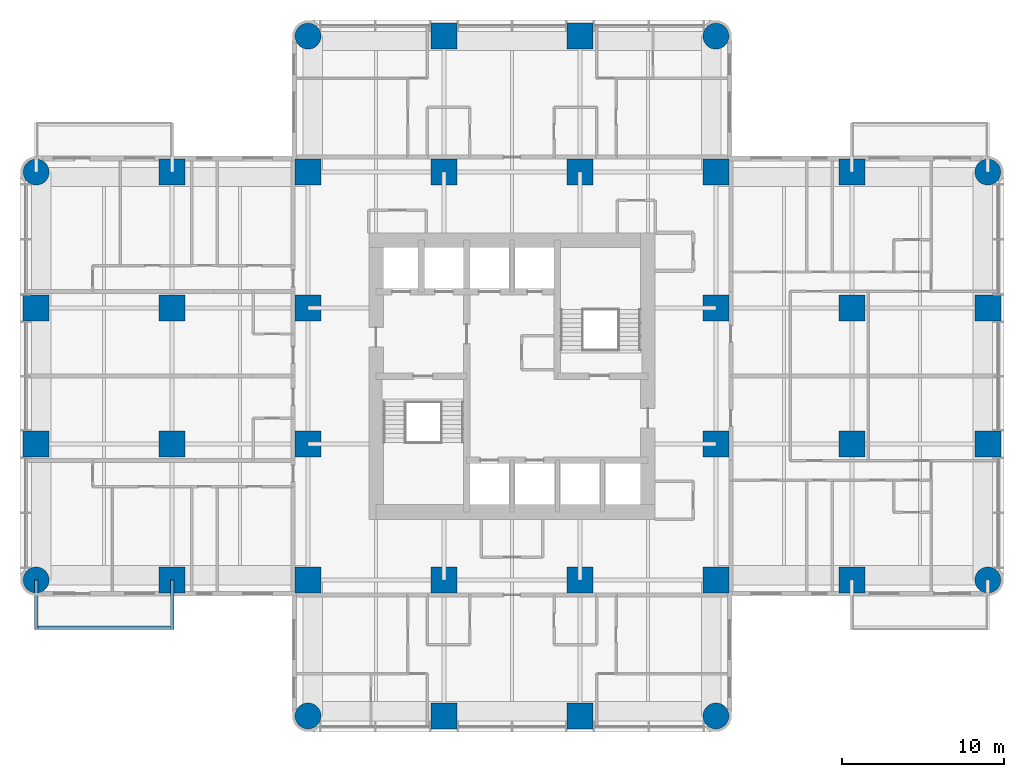
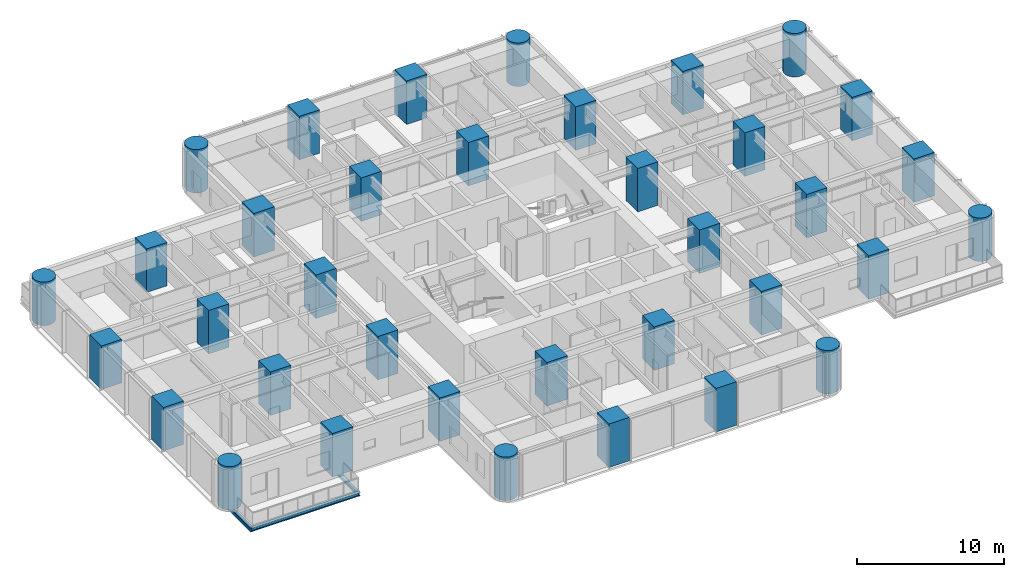
# One storey, part 1 of 14: 36 columns, 3 beams.
"""IFC4 building model written with IfcOpenShell, lengths in metres."""

from ifc_helpers import new_model, si_unit, direction, frame, origin, origin_2d, place, context, subcontext, project, spatial, rectangle, circle, i_section, extrude, material, material_profile, profile_set, type_object, element, save


model = new_model("IFC4")

# Units and contexts
model_context = context("Model", 3, precision=1e-05, world=origin(), true_north=direction((0.0, 1.0)))
body_context = subcontext(model_context, "Body", "Model", "MODEL_VIEW")
ifc_project = project(units=[si_unit("LENGTHUNIT", "METRE"), si_unit("AREAUNIT", "SQUARE_METRE"), si_unit("VOLUMEUNIT", "CUBIC_METRE"), si_unit("PLANEANGLEUNIT", "RADIAN"), si_unit("MASSUNIT", "GRAM", prefix="KILO")], contexts=[model_context])

# Site, building, storey
site_placement = place(None, origin())
site = spatial("IfcSite", under=ifc_project, at=site_placement, CompositionType="ELEMENT")
building_placement = place(site_placement, origin())
building = spatial("IfcBuilding", under=site, at=building_placement, Name="Torre Alcanfor", CompositionType="ELEMENT")
storey_placement = place(building_placement, frame((0.0, 0.0, 137.699951171875)))
storey = spatial("IfcBuildingStorey", under=building, at=storey_placement, Name="L35", CompositionType="ELEMENT", Elevation=137.699951171875)

# Columns
ifc_material_1 = material(Name="Concrete f'c 70 MPa", Category="concrete")
ifc_material_profile_1 = material_profile(ifc_material_1, rectangle(XDim=1.60009765625, YDim=1.60009765625, at=origin_2d()), Name="1600x1600")
ifc_profile_set_1 = profile_set([ifc_material_profile_1], Name="Concrete f'c 70 MPa")
column_type_1 = type_object("IfcColumnType", Name="RC column 1600x1600 f'c70", PredefinedType="COLUMN", material=ifc_profile_set_1)
for number, where, z_axis, x_axis, name in (
    (1, (0.0, 25.199951171875, 0.0), (0.0, 0.0, 1.0), (1.0, 0.0, 0.0), "Column 1/F L35"),
    (2, (0.0, 33.60009765625, 0.0), (0.0, 0.0, 1.0), (1.0, 0.0, 0.0), "Column 1/G L35"),
    (3, (8.39990234375, 16.800048828125, 0.0), (0.0, 0.0, 1.0), (1.0, 0.0, 0.0), "Column 2/E L35"),
    (4, (8.39990234375, 25.199951171875, 0.0), (0.0, 0.0, 1.0), (1.0, 0.0, 0.0), "Column 2/F L35"),
    (5, (8.39990234375, 33.60009765625, 0.0), (0.0, 0.0, 1.0), (1.0, 0.0, 0.0), "Column 2/G L35"),
    (6, (8.39990234375, 42.0, 0.0), (0.0, 0.0, 1.0), (1.0, 0.0, 0.0), "Column 2/H L35"),
    (7, (16.800048828125, 16.800048828125, 0.0), (0.0, 0.0, 1.0), (1.0, 0.0, 0.0), "Column 3/E L35"),
    (8, (16.800048828125, 25.199951171875, 0.0), (0.0, 0.0, 1.0), (1.0, 0.0, 0.0), "Column 3/F L35"),
    (9, (16.800048828125, 33.60009765625, 0.0), (0.0, 0.0, 1.0), (1.0, 0.0, 0.0), "Column 3/G L35"),
    (10, (16.800048828125, 42.0, 0.0), (0.0, 0.0, 1.0), (1.0, 0.0, 0.0), "Column 3/H L35"),
    (11, (25.199951171875, 8.39990234375, 0.0), (0.0, 0.0, 1.0), (1.0, 0.0, 0.0), "Column 4/D L35"),
    (12, (25.199951171875, 16.800048828125, 0.0), (0.0, 0.0, 1.0), (1.0, 0.0, 0.0), "Column 4/E L35"),
    (13, (25.199951171875, 42.0, 0.0), (0.0, 0.0, 1.0), (1.0, 0.0, 0.0), "Column 4/H L35"),
    (14, (25.199951171875, 50.39990234375, 0.0), (0.0, 0.0, 1.0), (1.0, 0.0, 0.0), "Column 4/J L35"),
    (15, (33.60009765625, 8.39990234375, 0.0), (0.0, 0.0, 1.0), (1.0, 0.0, 0.0), "Column 5/D L35"),
    (16, (33.60009765625, 16.800048828125, 0.0), (0.0, 0.0, 1.0), (1.0, 0.0, 0.0), "Column 5/E L35"),
    (17, (33.60009765625, 42.0, 0.0), (0.0, 0.0, 1.0), (1.0, 0.0, 0.0), "Column 5/H L35"),
    (18, (33.60009765625, 50.39990234375, 0.0), (0.0, 0.0, 1.0), (1.0, 0.0, 0.0), "Column 5/J L35"),
    (19, (42.0, 16.800048828125, 0.0), (0.0, 0.0, 1.0), (1.0, 0.0, 0.0), "Column 6/E L35"),
    (20, (42.0, 25.199951171875, 0.0), (0.0, 0.0, 1.0), (1.0, 0.0, 0.0), "Column 6/F L35"),
    (21, (42.0, 33.60009765625, 0.0), (0.0, 0.0, 1.0), (1.0, 0.0, 0.0), "Column 6/G L35"),
    (22, (42.0, 42.0, 0.0), (0.0, 0.0, 1.0), (1.0, 0.0, 0.0), "Column 6/H L35"),
    (23, (50.39990234375, 16.800048828125, 0.0), (0.0, 0.0, 1.0), (1.0, 0.0, 0.0), "Column 7/E L35"),
    (24, (50.39990234375, 25.199951171875, 0.0), (0.0, 0.0, 1.0), (1.0, 0.0, 0.0), "Column 7/F L35"),
    (25, (50.39990234375, 33.60009765625, 0.0), (0.0, 0.0, 1.0), (1.0, 0.0, 0.0), "Column 7/G L35"),
    (26, (50.39990234375, 42.0, 0.0), (0.0, 0.0, 1.0), (1.0, 0.0, 0.0), "Column 7/H L35"),
    (27, (58.800048828125, 25.199951171875, 0.0), (0.0, 0.0, 1.0), (1.0, 0.0, 0.0), "Column 8/F L35"),
    (28, (58.800048828125, 33.60009765625, 0.0), (0.0, 0.0, 1.0), (1.0, 0.0, 0.0), "Column 8/G L35"),
):
    element("IfcColumn", number, at=place(storey_placement, frame(where, z_axis=z_axis, x_axis=x_axis)), inside=storey, type_object=column_type_1, Name=name, PredefinedType="COLUMN", context=body_context, shape_type="SweptSolid", body=[
        extrude(rectangle(XDim=1.60009765625, YDim=1.60009765625, at=origin_2d()), origin(), (0.0, 0.0, 1.0), 3.60009765625),
    ])
ifc_material_2 = material(Name="Concrete f'c 70 MPa", Category="concrete")
ifc_material_profile_2 = material_profile(ifc_material_2, circle(Radius=0.800048828125, at=origin_2d()), Name="D1600")
ifc_profile_set_2 = profile_set([ifc_material_profile_2], Name="Concrete f'c 70 MPa")
column_type_2 = type_object("IfcColumnType", Name="RC column D1600 f'c70", PredefinedType="COLUMN", material=ifc_profile_set_2)
for number, where, z_axis, x_axis, name in (
    (29, (0.0, 16.800048828125, 0.0), (0.0, 0.0, 1.0), (1.0, 0.0, 0.0), "Column 1/E L35"),
    (30, (0.0, 42.0, 0.0), (0.0, 0.0, 1.0), (1.0, 0.0, 0.0), "Column 1/H L35"),
    (31, (16.800048828125, 8.39990234375, 0.0), (0.0, 0.0, 1.0), (1.0, 0.0, 0.0), "Column 3/D L35"),
    (32, (16.800048828125, 50.39990234375, 0.0), (0.0, 0.0, 1.0), (1.0, 0.0, 0.0), "Column 3/J L35"),
    (33, (42.0, 8.39990234375, 0.0), (0.0, 0.0, 1.0), (1.0, 0.0, 0.0), "Column 6/D L35"),
    (34, (42.0, 50.39990234375, 0.0), (0.0, 0.0, 1.0), (1.0, 0.0, 0.0), "Column 6/J L35"),
    (35, (58.800048828125, 16.800048828125, 0.0), (0.0, 0.0, 1.0), (1.0, 0.0, 0.0), "Column 8/E L35"),
    (36, (58.800048828125, 42.0, 0.0), (0.0, 0.0, 1.0), (1.0, 0.0, 0.0), "Column 8/H L35"),
):
    element("IfcColumn", number, at=place(storey_placement, frame(where, z_axis=z_axis, x_axis=x_axis)), inside=storey, type_object=column_type_2, Name=name, PredefinedType="COLUMN", context=body_context, shape_type="SweptSolid", body=[
        extrude(circle(Radius=0.800048828125, at=origin_2d()), origin(), (0.0, 0.0, 1.0), 3.60009765625),
    ])

# Beams
ifc_material_3 = material(Name="Steel ASTM A992 Grade 50", Category="steel")
ifc_material_profile_3 = material_profile(ifc_material_3, i_section(OverallWidth=0.205322265625, OverallDepth=0.309814453125, WebThickness=0.00927734375, FlangeThickness=0.016357421875, at=origin_2d()), Name="W12x50")
ifc_profile_set_3 = profile_set([ifc_material_profile_3], Name="Steel ASTM A992 Grade 50")
beam_type_1 = type_object("IfcBeamType", Name="Balcony cantilever beam W12x50", PredefinedType="BEAM", material=ifc_profile_set_3)
for number, where, z_axis, x_axis, name in (
    (37, (8.39990234375, 16.800048828125, -0.35498046875), (0.0, -1.0, 0.0), (1.0, 0.0, 0.0), "Balcony cantilever beam L35-W1 1"),
    (38, (0.0, 16.800048828125, -0.35498046875), (0.0, -1.0, 0.0), (1.0, 0.0, 0.0), "Balcony cantilever beam L35-W1 2"),
):
    element("IfcBeam", number, at=place(storey_placement, frame(where, z_axis=z_axis, x_axis=x_axis)), inside=storey, type_object=beam_type_1, Name=name, PredefinedType="BEAM", context=body_context, shape_type="SweptSolid", body=[
        extrude(i_section(OverallWidth=0.205322265625, OverallDepth=0.309814453125, WebThickness=0.00927734375, FlangeThickness=0.016357421875, at=origin_2d()), origin(), (0.0, 0.0, 1.0), 3.050048828125),
    ])
ifc_material_4 = material(Name="Steel ASTM A992 Grade 50", Category="steel")
ifc_material_profile_4 = material_profile(ifc_material_4, i_section(OverallWidth=0.203369140625, OverallDepth=0.30224609375, WebThickness=0.007568359375, FlangeThickness=0.01318359375, at=origin_2d()), Name="W12x40")
ifc_profile_set_4 = profile_set([ifc_material_profile_4], Name="Steel ASTM A992 Grade 50")
beam_type_2 = type_object("IfcBeamType", Name="Balcony edge trimmer W12x40", PredefinedType="BEAM", material=ifc_profile_set_4)
beam_placement = place(storey_placement, frame((8.39990234375, 13.851806640625, -0.35107421875), z_axis=(-1.0, 0.0, 0.0), x_axis=(0.0, -1.0, 0.0)))
element("IfcBeam", 39, at=beam_placement, inside=storey, type_object=beam_type_2, Name="Balcony edge trimmer L35-W1", PredefinedType="BEAM", context=body_context, shape_type="SweptSolid", body=[
    extrude(i_section(OverallWidth=0.203369140625, OverallDepth=0.30224609375, WebThickness=0.007568359375, FlangeThickness=0.01318359375, at=origin_2d()), origin(), (0.0, 0.0, 1.0), 8.39990234375),
])

save(model, "model.ifc")
